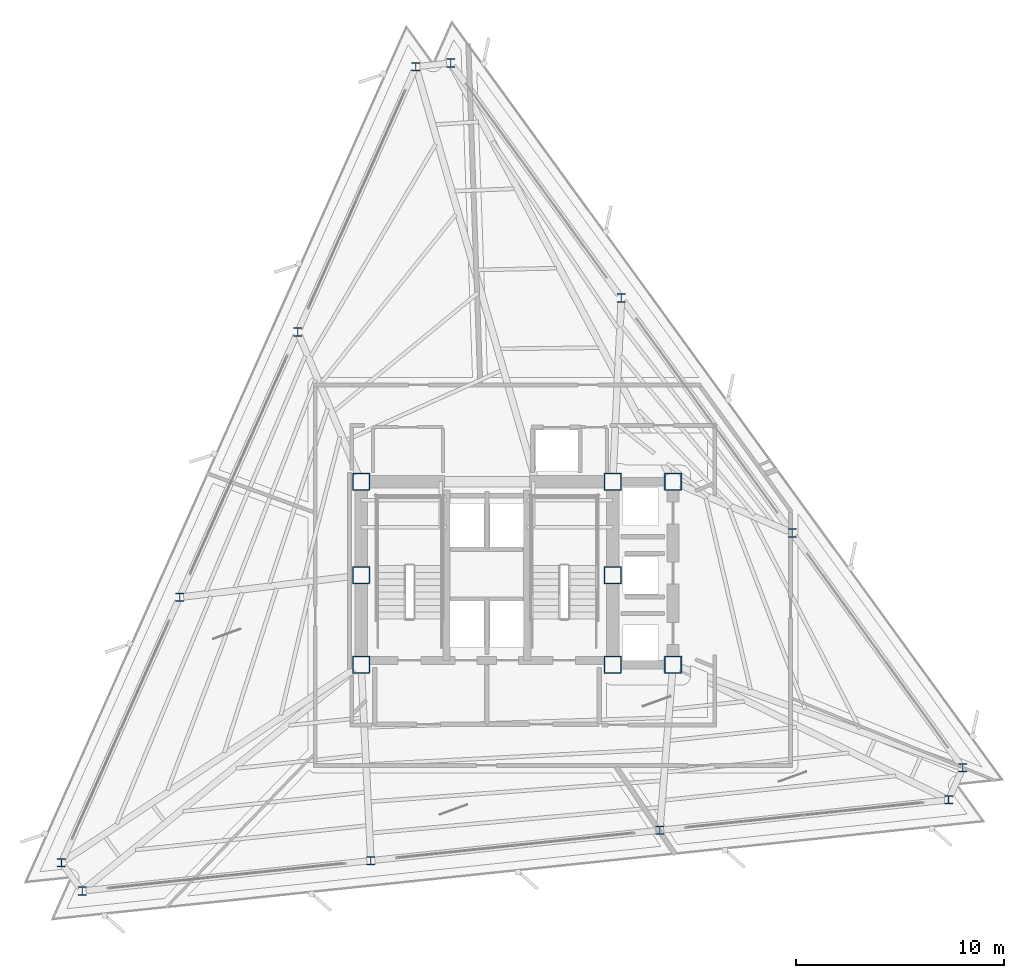
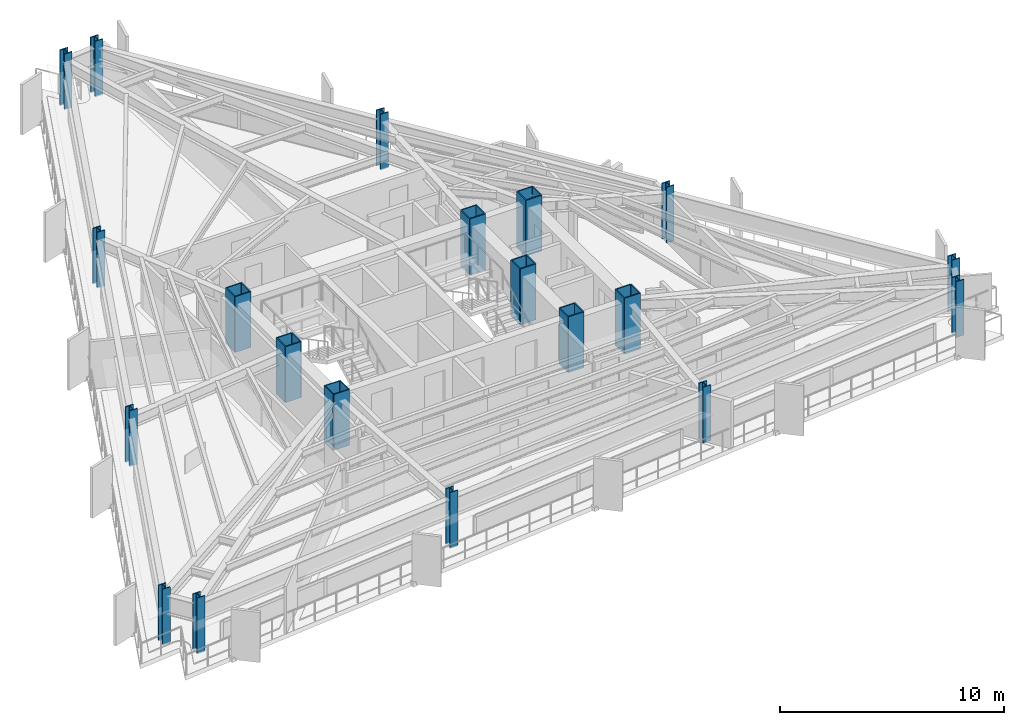
# One storey, part 1 of 13: 20 columns.
"""IFC4 building model written with IfcOpenShell, lengths in metres."""

from ifc_helpers import new_model, si_unit, direction, frame, origin, origin_2d, place, context, subcontext, project, spatial, hollow_rectangle, i_section, extrude, material, material_profile, profile_set, type_object, element, save


model = new_model("IFC4")

# Units and contexts
model_context = context("Model", 3, precision=1e-05, world=origin(), true_north=direction((0.0, 1.0)))
body_context = subcontext(model_context, "Body", "Model", "MODEL_VIEW")
ifc_project = project(units=[si_unit("LENGTHUNIT", "METRE"), si_unit("AREAUNIT", "SQUARE_METRE"), si_unit("VOLUMEUNIT", "CUBIC_METRE"), si_unit("PLANEANGLEUNIT", "RADIAN"), si_unit("MASSUNIT", "GRAM", prefix="KILO")], contexts=[model_context])

# Site, building, storey
site_placement = place(None, origin())
site = spatial("IfcSite", under=ifc_project, at=site_placement, CompositionType="ELEMENT")
building_placement = place(site_placement, origin())
building = spatial("IfcBuilding", under=site, at=building_placement, Name="Rocaltana Carrier Exchange", CompositionType="ELEMENT")
storey_placement = place(building_placement, frame((0.0, 0.0, 122.8798828125)))
storey = spatial("IfcBuildingStorey", under=building, at=storey_placement, Name="L38", CompositionType="ELEMENT", Elevation=122.8798828125)

# Columns
ifc_material_1 = material(Name="Steel S460", Category="steel")
ifc_material_profile_1 = material_profile(ifc_material_1, hollow_rectangle(XDim=0.85009765625, YDim=0.85009765625, WallThickness=0.054931640625, InnerFilletRadius=0.02001953125, OuterFilletRadius=0.0400390625, at=origin_2d()), Name="BOX850X850X55")
ifc_profile_set_1 = profile_set([ifc_material_profile_1], Name="Steel S460")
column_type_1 = type_object("IfcColumnType", Name="Core Mega-Column BOX850", PredefinedType="COLUMN", material=ifc_profile_set_1)
for number, where, z_axis, x_axis, name in (
    (1, (-6.050048828125, 4.5, 0.0), (0.0, 0.0, 1.0), (1.0, 0.0, 0.0), "L38 Core Mega-Column MC1"),
    (2, (6.050048828125, 4.5, 0.0), (0.0, 0.0, 1.0), (1.0, 0.0, 0.0), "L38 Core Mega-Column MC2"),
    (3, (-6.050048828125, 0.0, 0.0), (0.0, 0.0, 1.0), (1.0, 0.0, 0.0), "L38 Core Mega-Column MC3"),
    (4, (6.050048828125, 0.0, 0.0), (0.0, 0.0, 1.0), (1.0, 0.0, 0.0), "L38 Core Mega-Column MC4"),
    (5, (-6.050048828125, -4.300048828125, 0.0), (0.0, 0.0, 1.0), (1.0, 0.0, 0.0), "L38 Core Mega-Column MC5"),
    (6, (6.050048828125, -4.300048828125, 0.0), (0.0, 0.0, 1.0), (1.0, 0.0, 0.0), "L38 Core Mega-Column MC6"),
    (7, (8.949951171875, 4.5, 0.0), (0.0, 0.0, 1.0), (1.0, 0.0, 0.0), "L38 East Core Column EC1"),
    (8, (8.949951171875, -4.300048828125, 0.0), (0.0, 0.0, 1.0), (1.0, 0.0, 0.0), "L38 East Core Column EC2"),
):
    element("IfcColumn", number, at=place(storey_placement, frame(where, z_axis=z_axis, x_axis=x_axis)), inside=storey, type_object=column_type_1, Name=name, PredefinedType="COLUMN", context=body_context, shape_type="SweptSolid", body=[
        extrude(hollow_rectangle(XDim=0.85009765625, YDim=0.85009765625, WallThickness=0.054931640625, InnerFilletRadius=0.02001953125, OuterFilletRadius=0.0400390625, at=origin_2d()), origin(), (0.0, 0.0, 1.0), 3.0400390625),
    ])
ifc_material_2 = material(Name="Steel S355", Category="steel")
ifc_material_profile_2 = material_profile(ifc_material_2, i_section(OverallWidth=0.406005859375, OverallDepth=0.416015625, WebThickness=0.02978515625, FlangeThickness=0.048095703125, FilletRadius=0.02001953125, at=origin_2d()), Name="W14X257")
ifc_profile_set_2 = profile_set([ifc_material_profile_2], Name="Steel S355")
column_type_2 = type_object("IfcColumnType", Name="Perimeter Column W14X257", PredefinedType="COLUMN", material=ifc_profile_set_2)
for number, where, z_axis, x_axis, name in (
    (9, (22.88671875, -9.267578125, 0.0), (0.0, 0.0, 1.0), (1.0, 0.0, 0.0), "L38 Perimeter Column TC01"),
    (10, (14.67724609375, 2.03173828125, 0.0), (0.0, 0.0, 1.0), (1.0, 0.0, 0.0), "L38 Perimeter Column TC02"),
    (11, (6.4677734375, 13.3310546875, 0.0), (0.0, 0.0, 1.0), (1.0, 0.0, 0.0), "L38 Perimeter Column TC03"),
    (12, (-1.74169921875, 24.63037109375, 0.0), (0.0, 0.0, 1.0), (1.0, 0.0, 0.0), "L38 Perimeter Column TC04"),
    (13, (-3.417236328125, 24.4541015625, 0.0), (0.0, 0.0, 1.0), (1.0, 0.0, 0.0), "L38 Perimeter Column TC05"),
    (14, (-9.09814453125, 11.69482421875, 0.0), (0.0, 0.0, 1.0), (1.0, 0.0, 0.0), "L38 Perimeter Column TC06"),
    (15, (-14.77880859375, -1.064208984375, 0.0), (0.0, 0.0, 1.0), (1.0, 0.0, 0.0), "L38 Perimeter Column TC07"),
    (16, (-20.459716796875, -13.823486328125, 0.0), (0.0, 0.0, 1.0), (1.0, 0.0, 0.0), "L38 Perimeter Column TC08"),
    (17, (-19.46923828125, -15.1865234375, 0.0), (0.0, 0.0, 1.0), (1.0, 0.0, 0.0), "L38 Perimeter Column TC09"),
    (18, (-5.5791015625, -13.726806640625, 0.0), (0.0, 0.0, 1.0), (1.0, 0.0, 0.0), "L38 Perimeter Column TC10"),
    (19, (8.31103515625, -12.2666015625, 0.0), (0.0, 0.0, 1.0), (1.0, 0.0, 0.0), "L38 Perimeter Column TC11"),
    (20, (22.201171875, -10.806884765625, 0.0), (0.0, 0.0, 1.0), (1.0, 0.0, 0.0), "L38 Perimeter Column TC12"),
):
    element("IfcColumn", number, at=place(storey_placement, frame(where, z_axis=z_axis, x_axis=x_axis)), inside=storey, type_object=column_type_2, Name=name, PredefinedType="COLUMN", context=body_context, shape_type="SweptSolid", body=[
        extrude(i_section(OverallWidth=0.406005859375, OverallDepth=0.416015625, WebThickness=0.02978515625, FlangeThickness=0.048095703125, FilletRadius=0.02001953125, at=origin_2d()), origin(), (0.0, 0.0, 1.0), 3.0400390625),
    ])

save(model, "model.ifc")
